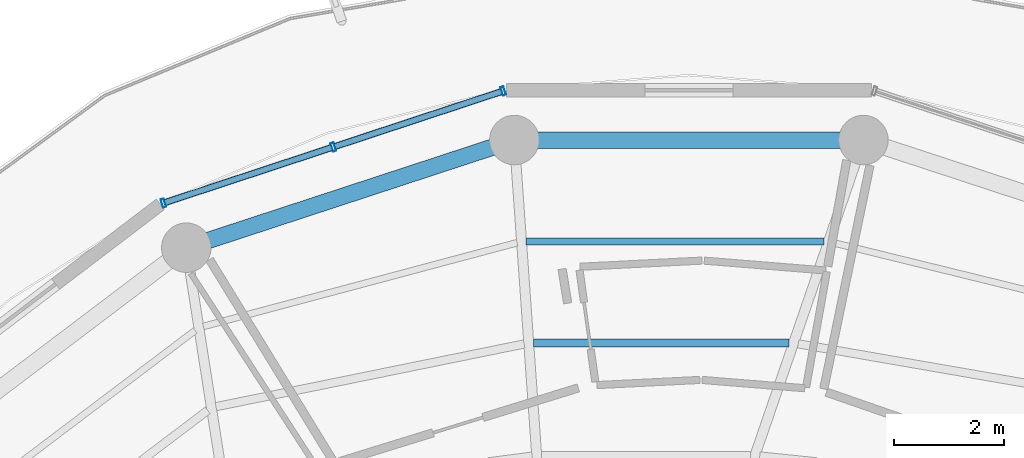
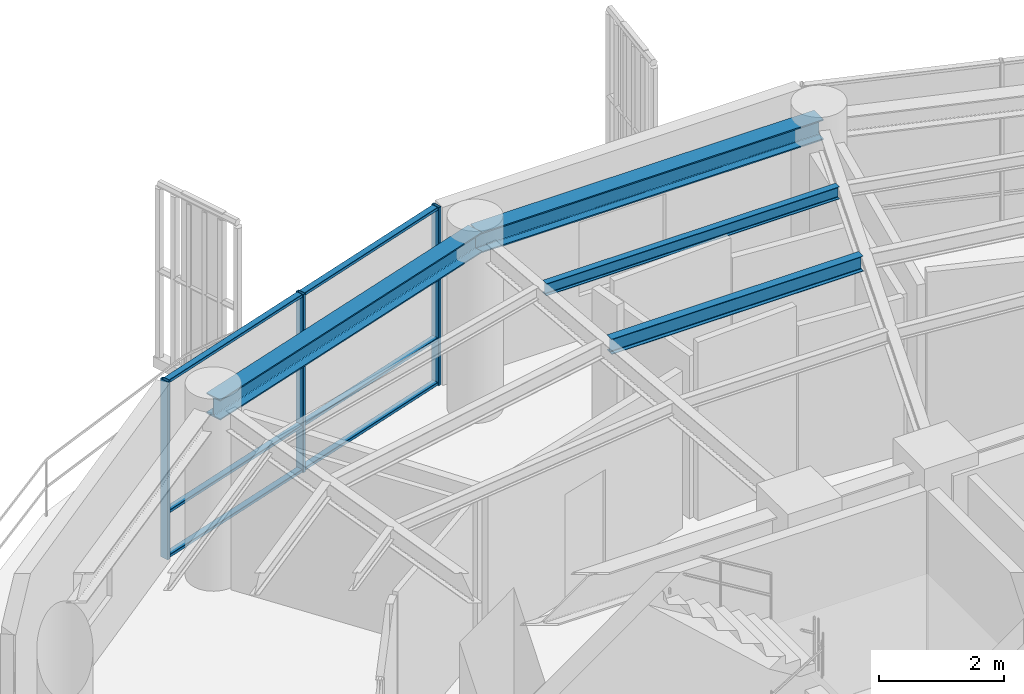
# One storey, part 13 of 23: 9 members, 4 beams, 1 element without a shape of its own.
"""IFC4 building model written with IfcOpenShell, lengths in metres."""

from ifc_helpers import new_model, si_unit, direction, frame, origin, origin_2d, place, context, subcontext, project, spatial, hollow_rectangle, i_section, extrude, material, layer, layer_set, material_profile, profile_set, type_object, element, aggregate, save


model = new_model("IFC4")

# Units and contexts
model_context = context("Model", 3, precision=1e-05, world=origin(), true_north=direction((0.0, 1.0)))
body_context = subcontext(model_context, "Body", "Model", "MODEL_VIEW")
ifc_project = project(units=[si_unit("LENGTHUNIT", "METRE"), si_unit("AREAUNIT", "SQUARE_METRE"), si_unit("VOLUMEUNIT", "CUBIC_METRE"), si_unit("PLANEANGLEUNIT", "RADIAN"), si_unit("MASSUNIT", "GRAM", prefix="KILO")], contexts=[model_context])

# Site, building, storey
site_placement = place(None, origin())
site = spatial("IfcSite", under=ifc_project, at=site_placement, CompositionType="ELEMENT")
building_placement = place(site_placement, origin())
building = spatial("IfcBuilding", under=site, at=building_placement, Name="Kelanora Arch Commons", CompositionType="ELEMENT")
storey_placement = place(building_placement, frame((0.0, 0.0, 252.449951171875)))
storey = spatial("IfcBuildingStorey", under=building, at=storey_placement, Name="L64", CompositionType="ELEMENT", Elevation=252.449951171875)

# Beams
ifc_material_1 = material(Name="Steel S355", Category="steel")
ifc_material_profile_1 = material_profile(ifc_material_1, i_section(OverallWidth=0.14990234375, OverallDepth=0.300048828125, WebThickness=0.007080078125, FlangeThickness=0.0107421875, FilletRadius=0.014892578125, at=origin_2d()), Name="IPE300")
ifc_profile_set_1 = profile_set([ifc_material_profile_1], Name="Steel S355")
beam_type_1 = type_object("IfcBeamType", Name="BM-JST-01", PredefinedType="JOIST", material=ifc_profile_set_1)
beam_1_placement = place(storey_placement, frame((75.819580078125, 70.537841796875, 3.340087890625), z_axis=(-1.0, 0.0, 0.0), x_axis=(0.0, -1.0, 0.0)))
element("IfcBeam", 1, at=beam_1_placement, inside=storey, type_object=beam_type_1, Name="Secondary Chord Joist BJB-08 L64", PredefinedType="JOIST", context=body_context, shape_type="SweptSolid", body=[
    extrude(i_section(OverallWidth=0.14990234375, OverallDepth=0.300048828125, WebThickness=0.007080078125, FlangeThickness=0.0107421875, FilletRadius=0.014892578125, at=origin_2d()), origin(), (0.0, 0.0, 1.0), 4.647216796875),
])
ifc_material_profile_2 = material_profile(ifc_material_1, i_section(OverallWidth=0.1201171875, OverallDepth=0.239990234375, WebThickness=0.006103515625, FlangeThickness=0.009765625, FilletRadius=0.014892578125, at=origin_2d()), Name="IPE240")
ifc_profile_set_2 = profile_set([ifc_material_profile_2], Name="Steel S355")
beam_type_2 = type_object("IfcBeamType", Name="BM-JST-02", PredefinedType="JOIST", material=ifc_profile_set_2)
beam_2_placement = place(storey_placement, frame((76.454345703125, 72.3837890625, 3.3701171875), z_axis=(-1.0, 0.0, 0.0), x_axis=(0.0, -1.0, 0.0)))
element("IfcBeam", 2, at=beam_2_placement, inside=storey, type_object=beam_type_2, Name="Secondary Chord Joist BJC-08 L64", PredefinedType="JOIST", context=body_context, shape_type="SweptSolid", body=[
    extrude(i_section(OverallWidth=0.1201171875, OverallDepth=0.239990234375, WebThickness=0.006103515625, FlangeThickness=0.009765625, FilletRadius=0.014892578125, at=origin_2d()), origin(), (0.0, 0.0, 1.0), 5.412841796875),
])
ifc_material_profile_3 = material_profile(ifc_material_1, i_section(OverallWidth=0.300048828125, OverallDepth=0.39990234375, WebThickness=0.013427734375, FlangeThickness=0.02392578125, FilletRadius=0.027099609375, at=origin_2d()), Name="HEB400")
ifc_profile_set_3 = profile_set([ifc_material_profile_3], Name="Steel S355")
beam_type_3 = type_object("IfcBeamType", Name="BM-SPN-Z4", PredefinedType="SPANDREL", material=ifc_profile_set_3)
beam_3_placement = place(storey_placement, frame((77.17431640625, 74.2294921875, 3.2900390625), z_axis=(-1.0, 0.0, 0.0), x_axis=(0.0, -1.0, 0.0)))
element("IfcBeam", 3, at=beam_3_placement, inside=storey, type_object=beam_type_3, Name="Perimeter Spandrel Beam BS-08 L64", PredefinedType="SPANDREL", context=body_context, shape_type="SweptSolid", body=[
    extrude(i_section(OverallWidth=0.300048828125, OverallDepth=0.39990234375, WebThickness=0.013427734375, FlangeThickness=0.02392578125, FilletRadius=0.027099609375, at=origin_2d()), origin(), (0.0, 0.0, 1.0), 6.3486328125),
])
beam_4_placement = place(storey_placement, frame((70.82568359375, 74.2294921875, 3.2900390625), z_axis=(-0.950165923039, -0.311744636996, 0.0), x_axis=(0.311744636996, -0.950165923039, 0.0)))
element("IfcBeam", 4, at=beam_4_placement, inside=storey, type_object=beam_type_3, Name="Perimeter Spandrel Beam BS-10 L64", PredefinedType="SPANDREL", context=body_context, shape_type="SweptSolid", body=[
    extrude(i_section(OverallWidth=0.300048828125, OverallDepth=0.39990234375, WebThickness=0.013427734375, FlangeThickness=0.02392578125, FilletRadius=0.027099609375, at=origin_2d()), origin(), (0.0, 0.0, 1.0), 6.278564453125),
])

# Curtain wall, members
ifc_material_2 = material(Name="Terracotta ceramic-fritted low-E glass and aluminium", Category="masonry")
ifc_layer = layer(ifc_material_2, 0.18994140625)
ifc_layer_set = layer_set([ifc_layer], Name="Terracotta ceramic-fritted low-E glass and aluminium")
curtain_wall_type = type_object("IfcCurtainWallType", Name="CW-SYS-03", PredefinedType="NOTDEFINED", material=ifc_layer_set)
curtain_wall_placement = place(storey_placement, origin())
curtain_wall = element("IfcCurtainWall", 5, at=curtain_wall_placement, inside=storey, type_object=curtain_wall_type, Name="Unitised Curtain Wall L64-B05", PredefinedType="NOTDEFINED")
ifc_material_3 = material(Name="Powder-coated aluminium terracotta", Category="masonry")
ifc_material_profile_4 = material_profile(ifc_material_3, hollow_rectangle(XDim=0.159912109375, YDim=0.06005859375, WallThickness=0.0048828125, InnerFilletRadius=0.0048828125, OuterFilletRadius=0.010009765625, at=origin_2d()), Name="CWM160x60")
ifc_profile_set_4 = profile_set([ifc_material_profile_4], Name="Powder-coated aluminium terracotta")
member_type_1 = type_object("IfcMemberType", Name="CWM-STD", PredefinedType="MULLION", material=ifc_profile_set_4)
member_1_placement = place(storey_placement, frame((70.623291015625, 75.12158203125, 0.0), z_axis=(0.0, 0.0, 1.0), x_axis=(0.313252785344, -0.949669780752, 0.0)))
member_1 = element("IfcMember", 6, at=member_1_placement, type_object=member_type_1, Name="CW-03 mullion 1", PredefinedType="MULLION", context=body_context, shape_type="SweptSolid", body=[
    extrude(hollow_rectangle(XDim=0.159912109375, YDim=0.06005859375, WallThickness=0.0048828125, InnerFilletRadius=0.0048828125, OuterFilletRadius=0.010009765625, at=origin_2d()), origin(), (0.0, 0.0, 1.0), 3.47509765625),
])
member_2_placement = place(storey_placement, frame((67.532958984375, 74.102294921875, 0.0), z_axis=(0.0, 0.0, 1.0), x_axis=(0.313252785344, -0.949669780752, 0.0)))
member_2 = element("IfcMember", 7, at=member_2_placement, type_object=member_type_1, Name="CW-03 mullion 2", PredefinedType="MULLION", context=body_context, shape_type="SweptSolid", body=[
    extrude(hollow_rectangle(XDim=0.159912109375, YDim=0.06005859375, WallThickness=0.0048828125, InnerFilletRadius=0.0048828125, OuterFilletRadius=0.010009765625, at=origin_2d()), origin(), (0.0, 0.0, 1.0), 3.47509765625),
])
member_3_placement = place(storey_placement, frame((64.442626953125, 73.0830078125, 0.0), z_axis=(0.0, 0.0, 1.0), x_axis=(0.313252785344, -0.949669780752, 0.0)))
member_3 = element("IfcMember", 8, at=member_3_placement, type_object=member_type_1, Name="CW-03 mullion 3", PredefinedType="MULLION", context=body_context, shape_type="SweptSolid", body=[
    extrude(hollow_rectangle(XDim=0.159912109375, YDim=0.06005859375, WallThickness=0.0048828125, InnerFilletRadius=0.0048828125, OuterFilletRadius=0.010009765625, at=origin_2d()), origin(), (0.0, 0.0, 1.0), 3.47509765625),
])
ifc_material_profile_5 = material_profile(ifc_material_3, hollow_rectangle(XDim=0.1201171875, YDim=0.06005859375, WallThickness=0.0048828125, InnerFilletRadius=0.0048828125, OuterFilletRadius=0.010009765625, at=origin_2d()), Name="CWT120x60")
ifc_profile_set_5 = profile_set([ifc_material_profile_5], Name="Powder-coated aluminium terracotta")
member_type_2 = type_object("IfcMemberType", Name="CWT-STD", PredefinedType="USERDEFINED", material=ifc_profile_set_5)
member_4_placement = place(storey_placement, frame((70.5947265625, 75.1123046875, 0.030029296875), z_axis=(-0.949649574195, -0.313314037719, 0.0), x_axis=(0.313314037719, -0.949649574195, 0.0)))
member_4 = element("IfcMember", 9, at=member_4_placement, type_object=member_type_2, Name="CW-03 transom 1.1", ObjectType="TRANSOM", PredefinedType="USERDEFINED", context=body_context, shape_type="SweptSolid", body=[
    extrude(hollow_rectangle(XDim=0.1201171875, YDim=0.06005859375, WallThickness=0.0048828125, InnerFilletRadius=0.0048828125, OuterFilletRadius=0.010009765625, at=origin_2d()), origin(), (0.0, 0.0, 1.0), 3.194091796875),
])
member_5_placement = place(storey_placement, frame((70.5947265625, 75.1123046875, 0.900146484375), z_axis=(-0.949649574195, -0.313314037719, 0.0), x_axis=(0.313314037719, -0.949649574195, 0.0)))
member_5 = element("IfcMember", 10, at=member_5_placement, type_object=member_type_2, Name="CW-03 transom 1.2", ObjectType="TRANSOM", PredefinedType="USERDEFINED", context=body_context, shape_type="SweptSolid", body=[
    extrude(hollow_rectangle(XDim=0.1201171875, YDim=0.06005859375, WallThickness=0.0048828125, InnerFilletRadius=0.0048828125, OuterFilletRadius=0.010009765625, at=origin_2d()), origin(), (0.0, 0.0, 1.0), 3.194091796875),
])
member_6_placement = place(storey_placement, frame((70.5947265625, 75.1123046875, 3.445068359375), z_axis=(-0.949649574195, -0.313314037719, 0.0), x_axis=(0.313314037719, -0.949649574195, 0.0)))
member_6 = element("IfcMember", 11, at=member_6_placement, type_object=member_type_2, Name="CW-03 transom 1.3", ObjectType="TRANSOM", PredefinedType="USERDEFINED", context=body_context, shape_type="SweptSolid", body=[
    extrude(hollow_rectangle(XDim=0.1201171875, YDim=0.06005859375, WallThickness=0.0048828125, InnerFilletRadius=0.0048828125, OuterFilletRadius=0.010009765625, at=origin_2d()), origin(), (0.0, 0.0, 1.0), 3.194091796875),
])
member_7_placement = place(storey_placement, frame((67.50439453125, 74.0927734375, 0.030029296875), z_axis=(-0.949672315102, -0.313245102003, 0.0), x_axis=(0.313245102003, -0.949672315102, 0.0)))
member_7 = element("IfcMember", 12, at=member_7_placement, type_object=member_type_2, Name="CW-03 transom 2.1", ObjectType="TRANSOM", PredefinedType="USERDEFINED", context=body_context, shape_type="SweptSolid", body=[
    extrude(hollow_rectangle(XDim=0.1201171875, YDim=0.06005859375, WallThickness=0.0048828125, InnerFilletRadius=0.0048828125, OuterFilletRadius=0.010009765625, at=origin_2d()), origin(), (0.0, 0.0, 1.0), 3.19384765625),
])
member_8_placement = place(storey_placement, frame((67.50439453125, 74.0927734375, 0.900146484375), z_axis=(-0.949672315102, -0.313245102003, 0.0), x_axis=(0.313245102003, -0.949672315102, 0.0)))
member_8 = element("IfcMember", 13, at=member_8_placement, type_object=member_type_2, Name="CW-03 transom 2.2", ObjectType="TRANSOM", PredefinedType="USERDEFINED", context=body_context, shape_type="SweptSolid", body=[
    extrude(hollow_rectangle(XDim=0.1201171875, YDim=0.06005859375, WallThickness=0.0048828125, InnerFilletRadius=0.0048828125, OuterFilletRadius=0.010009765625, at=origin_2d()), origin(), (0.0, 0.0, 1.0), 3.19384765625),
])
member_9_placement = place(storey_placement, frame((67.50439453125, 74.0927734375, 3.445068359375), z_axis=(-0.949672315102, -0.313245102003, 0.0), x_axis=(0.313245102003, -0.949672315102, 0.0)))
member_9 = element("IfcMember", 14, at=member_9_placement, type_object=member_type_2, Name="CW-03 transom 2.3", ObjectType="TRANSOM", PredefinedType="USERDEFINED", context=body_context, shape_type="SweptSolid", body=[
    extrude(hollow_rectangle(XDim=0.1201171875, YDim=0.06005859375, WallThickness=0.0048828125, InnerFilletRadius=0.0048828125, OuterFilletRadius=0.010009765625, at=origin_2d()), origin(), (0.0, 0.0, 1.0), 3.19384765625),
])
aggregate(curtain_wall, [member_1, member_2, member_3, member_4, member_5, member_6, member_7, member_8, member_9])

save(model, "model.ifc")
